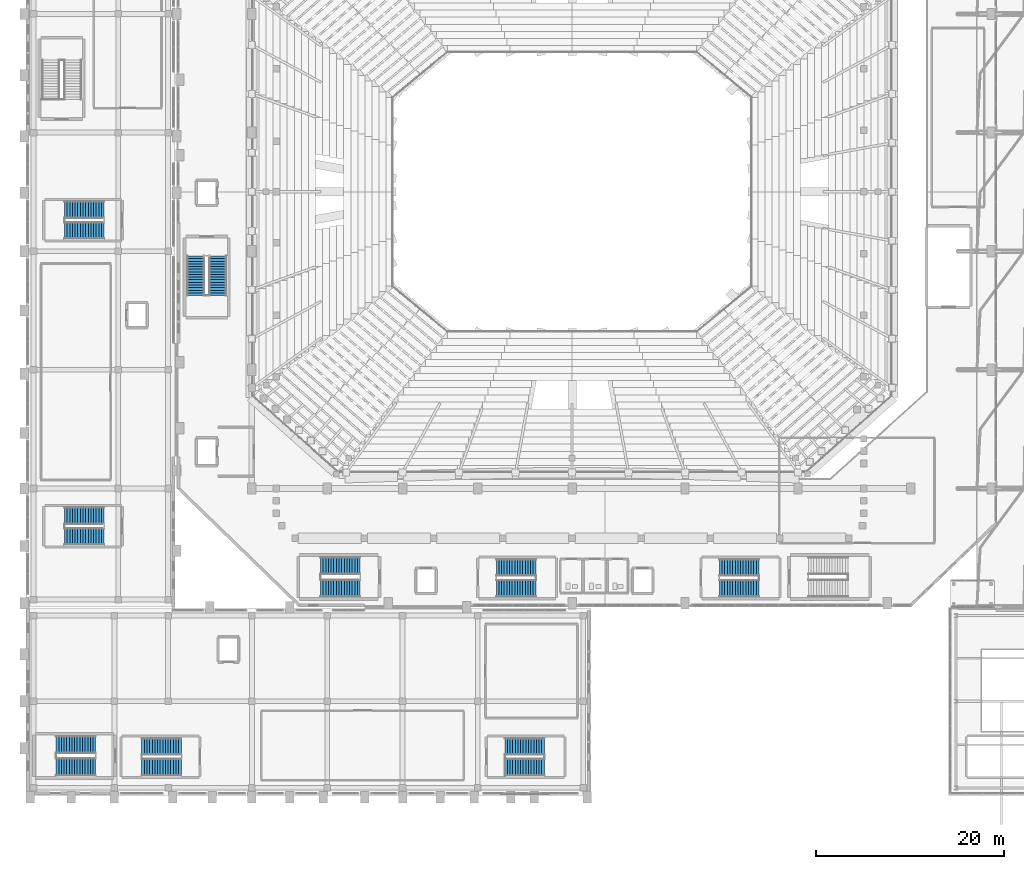
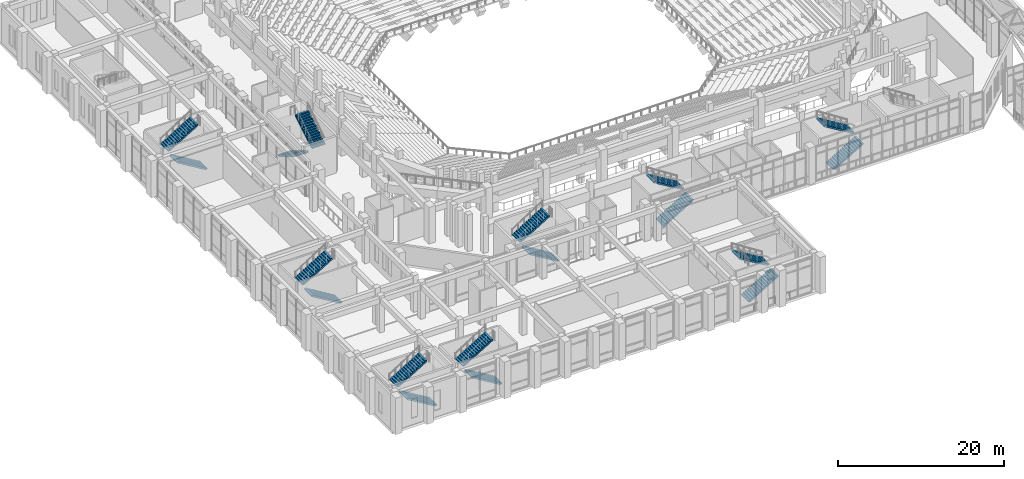
# One storey, part 140 of 159: 18 stair flights, 9 elements without a shape of their own.
"""IFC4 building model written with IfcOpenShell, lengths in metres."""

from ifc_helpers import new_model, si_unit, derived_unit, direction, frame, origin, place, context, subcontext, project, spatial, polyline, outline, extrude, material, type_object, element, aggregate, save


model = new_model("IFC4")

# Units and contexts
model_context = context("Model", 3, precision=1e-05, world=origin(), true_north=direction((0.0, 1.0)))
body_context = subcontext(model_context, "Body", "Model", "MODEL_VIEW")
ifc_project = project(units=[si_unit("LENGTHUNIT", "METRE"), si_unit("AREAUNIT", "SQUARE_METRE"), si_unit("VOLUMEUNIT", "CUBIC_METRE"), si_unit("PLANEANGLEUNIT", "RADIAN"), si_unit("MASSUNIT", "GRAM", prefix="KILO"), derived_unit("THERMALTRANSMITTANCEUNIT", [(si_unit("MASSUNIT", "GRAM", prefix="KILO"), 1), (si_unit("TIMEUNIT", "SECOND"), -3), (si_unit("THERMODYNAMICTEMPERATUREUNIT", "KELVIN"), -1)])], contexts=[model_context])

# Site, building, storey
site_placement = place(None, origin())
site = spatial("IfcSite", under=ifc_project, at=site_placement, CompositionType="ELEMENT")
building_placement = place(site_placement, origin())
building = spatial("IfcBuilding", under=site, at=building_placement, Name="Valcora Ridge Arena", CompositionType="ELEMENT")
storey_placement = place(building_placement, frame((0.0, 0.0, 6.0)))
storey = spatial("IfcBuildingStorey", under=building, at=storey_placement, Name="L01", CompositionType="ELEMENT", Elevation=6.0)

# Stair, stair flights
ifc_material = material(Name="Concrete C40/50", Category="concrete")
stair_type_1 = type_object("IfcStairType", Name="TY-STAIR-ES01-54", PredefinedType="HALF_TURN_STAIR", material=ifc_material)
stair_1_placement = place(storey_placement, origin())
stair_1 = element("IfcStair", 1, at=stair_1_placement, inside=storey, type_object=stair_type_1, Name="ES01-54 STR-ES-0002", PredefinedType="HALF_TURN_STAIR")
stair_flight_type_1 = type_object("IfcStairFlightType", Name="TY-FLIGHT-ES01-54", PredefinedType="STRAIGHT", material=ifc_material)
stair_flight_1_placement = place(storey_placement, frame((49.9599609375, 21.97998046875, 0.0), z_axis=(0.0, 0.0, 1.0), x_axis=(1.0, 0.0, 0.0)))
stair_flight_1 = element("IfcStairFlight", 2, at=stair_flight_1_placement, type_object=stair_flight_type_1, Name="ES01-54 flight 1", NumberOfRisers=16, NumberOfTreads=15, PredefinedType="STRAIGHT", RiserHeight=0.16875, TreadLength=0.28, context=body_context, shape_type="SweptSolid", body=[
    extrude(outline(polyline([(0.0, 0.0), (0.0, 0.168701171875), (0.280029296875, 0.168701171875), (0.280029296875, 0.33740234375), (0.56005859375, 0.33740234375), (0.56005859375, 0.50634765625), (0.840087890625, 0.50634765625), (0.840087890625, 0.675048828125), (1.1201171875, 0.675048828125), (1.1201171875, 0.84375), (1.39990234375, 0.84375), (1.39990234375, 1.012451171875), (1.679931640625, 1.012451171875), (1.679931640625, 1.18115234375), (1.9599609375, 1.18115234375), (1.9599609375, 1.35009765625), (2.239990234375, 1.35009765625), (2.239990234375, 1.518798828125), (2.52001953125, 1.518798828125), (2.52001953125, 1.6875), (2.800048828125, 1.6875), (2.800048828125, 1.856201171875), (3.080078125, 1.856201171875), (3.080078125, 2.02490234375), (3.360107421875, 2.02490234375), (3.360107421875, 2.19384765625), (3.639892578125, 2.19384765625), (3.639892578125, 2.362548828125), (3.919921875, 2.362548828125), (3.919921875, 2.53125), (4.199951171875, 2.53125), (4.199951171875, 2.699951171875), (4.199951171875, 2.3212890625), (0.3486328125, 0.0), (0.0, 0.0)])), frame((0.0, 0.89990234375, 0.0), z_axis=(0.0, -1.0, 0.0), x_axis=(1.0, 0.0, 0.0)), (0.0, 0.0, 1.0), 1.800048828125),
])
stair_flight_2_placement = place(storey_placement, frame((54.159912109375, 24.219970703125, 2.699951171875), z_axis=(0.0, 0.0, 1.0), x_axis=(-1.0, 0.0, 0.0)))
stair_flight_2 = element("IfcStairFlight", 3, at=stair_flight_2_placement, type_object=stair_flight_type_1, Name="ES01-54 flight 2", NumberOfRisers=16, NumberOfTreads=15, PredefinedType="STRAIGHT", RiserHeight=0.16875, TreadLength=0.28, context=body_context, shape_type="SweptSolid", body=[
    extrude(outline(polyline([(0.0, 0.0), (0.0, 0.168701171875), (0.280029296875, 0.168701171875), (0.280029296875, 0.33740234375), (0.56005859375, 0.33740234375), (0.56005859375, 0.50634765625), (0.840087890625, 0.50634765625), (0.840087890625, 0.675048828125), (1.1201171875, 0.675048828125), (1.1201171875, 0.84375), (1.39990234375, 0.84375), (1.39990234375, 1.012451171875), (1.679931640625, 1.012451171875), (1.679931640625, 1.18115234375), (1.9599609375, 1.18115234375), (1.9599609375, 1.35009765625), (2.239990234375, 1.35009765625), (2.239990234375, 1.518798828125), (2.52001953125, 1.518798828125), (2.52001953125, 1.6875), (2.800048828125, 1.6875), (2.800048828125, 1.856201171875), (3.080078125, 1.856201171875), (3.080078125, 2.02490234375), (3.360107421875, 2.02490234375), (3.360107421875, 2.19384765625), (3.639892578125, 2.19384765625), (3.639892578125, 2.362548828125), (3.919921875, 2.362548828125), (3.919921875, 2.53125), (4.199951171875, 2.53125), (4.199951171875, 2.699951171875), (4.199951171875, 2.3212890625), (0.3486328125, 0.0), (0.0, 0.0)])), frame((0.0, 0.89990234375, 0.0), z_axis=(0.0, -1.0, 0.0), x_axis=(1.0, 0.0, 0.0)), (0.0, 0.0, 1.0), 1.800048828125),
])
aggregate(stair_1, [stair_flight_1, stair_flight_2])

stair_type_2 = type_object("IfcStairType", Name="TY-STAIR-ES02-54", PredefinedType="HALF_TURN_STAIR", material=ifc_material)
stair_2_placement = place(storey_placement, origin())
stair_2 = element("IfcStair", 4, at=stair_2_placement, inside=storey, type_object=stair_type_2, Name="ES02-54 STR-ES-0006", PredefinedType="HALF_TURN_STAIR")
stair_flight_type_2 = type_object("IfcStairFlightType", Name="TY-FLIGHT-ES02-54", PredefinedType="STRAIGHT", material=ifc_material)
stair_flight_3_placement = place(storey_placement, frame((73.659912109375, 21.97998046875, 0.0), z_axis=(0.0, 0.0, 1.0), x_axis=(1.0, 0.0, 0.0)))
stair_flight_3 = element("IfcStairFlight", 5, at=stair_flight_3_placement, type_object=stair_flight_type_2, Name="ES02-54 flight 1", NumberOfRisers=16, NumberOfTreads=15, PredefinedType="STRAIGHT", RiserHeight=0.16875, TreadLength=0.28, context=body_context, shape_type="SweptSolid", body=[
    extrude(outline(polyline([(0.0, 0.0), (0.0, 0.168701171875), (0.280029296875, 0.168701171875), (0.280029296875, 0.33740234375), (0.56005859375, 0.33740234375), (0.56005859375, 0.50634765625), (0.840087890625, 0.50634765625), (0.840087890625, 0.675048828125), (1.1201171875, 0.675048828125), (1.1201171875, 0.84375), (1.39990234375, 0.84375), (1.39990234375, 1.012451171875), (1.679931640625, 1.012451171875), (1.679931640625, 1.18115234375), (1.9599609375, 1.18115234375), (1.9599609375, 1.35009765625), (2.239990234375, 1.35009765625), (2.239990234375, 1.518798828125), (2.52001953125, 1.518798828125), (2.52001953125, 1.6875), (2.800048828125, 1.6875), (2.800048828125, 1.856201171875), (3.080078125, 1.856201171875), (3.080078125, 2.02490234375), (3.360107421875, 2.02490234375), (3.360107421875, 2.19384765625), (3.639892578125, 2.19384765625), (3.639892578125, 2.362548828125), (3.919921875, 2.362548828125), (3.919921875, 2.53125), (4.199951171875, 2.53125), (4.199951171875, 2.699951171875), (4.199951171875, 2.3212890625), (0.3486328125, 0.0), (0.0, 0.0)])), frame((0.0, 0.89990234375, 0.0), z_axis=(0.0, -1.0, 0.0), x_axis=(1.0, 0.0, 0.0)), (0.0, 0.0, 1.0), 1.800048828125),
])
stair_flight_4_placement = place(storey_placement, frame((77.860107421875, 24.219970703125, 2.699951171875), z_axis=(0.0, 0.0, 1.0), x_axis=(-1.0, 0.0, 0.0)))
stair_flight_4 = element("IfcStairFlight", 6, at=stair_flight_4_placement, type_object=stair_flight_type_2, Name="ES02-54 flight 2", NumberOfRisers=16, NumberOfTreads=15, PredefinedType="STRAIGHT", RiserHeight=0.16875, TreadLength=0.28, context=body_context, shape_type="SweptSolid", body=[
    extrude(outline(polyline([(0.0, 0.0), (0.0, 0.168701171875), (0.280029296875, 0.168701171875), (0.280029296875, 0.33740234375), (0.56005859375, 0.33740234375), (0.56005859375, 0.50634765625), (0.840087890625, 0.50634765625), (0.840087890625, 0.675048828125), (1.1201171875, 0.675048828125), (1.1201171875, 0.84375), (1.39990234375, 0.84375), (1.39990234375, 1.012451171875), (1.679931640625, 1.012451171875), (1.679931640625, 1.18115234375), (1.9599609375, 1.18115234375), (1.9599609375, 1.35009765625), (2.239990234375, 1.35009765625), (2.239990234375, 1.518798828125), (2.52001953125, 1.518798828125), (2.52001953125, 1.6875), (2.800048828125, 1.6875), (2.800048828125, 1.856201171875), (3.080078125, 1.856201171875), (3.080078125, 2.02490234375), (3.360107421875, 2.02490234375), (3.360107421875, 2.19384765625), (3.639892578125, 2.19384765625), (3.639892578125, 2.362548828125), (3.919921875, 2.362548828125), (3.919921875, 2.53125), (4.199951171875, 2.53125), (4.199951171875, 2.699951171875), (4.199951171875, 2.3212890625), (0.3486328125, 0.0), (0.0, 0.0)])), frame((0.0, 0.89990234375, 0.0), z_axis=(0.0, -1.0, 0.0), x_axis=(1.0, 0.0, 0.0)), (0.0, 0.0, 1.0), 1.800048828125),
])
aggregate(stair_2, [stair_flight_3, stair_flight_4])

stair_type_3 = type_object("IfcStairType", Name="TY-STAIR-ES05-54", PredefinedType="HALF_TURN_STAIR", material=ifc_material)
stair_3_placement = place(storey_placement, origin())
stair_3 = element("IfcStair", 7, at=stair_3_placement, inside=storey, type_object=stair_type_3, Name="ES05-54 STR-ES-0018", PredefinedType="HALF_TURN_STAIR")
stair_flight_type_3 = type_object("IfcStairFlightType", Name="TY-FLIGHT-ES05-54", PredefinedType="STRAIGHT", material=ifc_material)
stair_flight_5_placement = place(storey_placement, frame((16.5, 2.97998046875, 0.0), z_axis=(0.0, 0.0, 1.0), x_axis=(-1.0, 0.0, 0.0)))
stair_flight_5 = element("IfcStairFlight", 8, at=stair_flight_5_placement, type_object=stair_flight_type_3, Name="ES05-54 flight 1", NumberOfRisers=16, NumberOfTreads=15, PredefinedType="STRAIGHT", RiserHeight=0.16875, TreadLength=0.28, context=body_context, shape_type="SweptSolid", body=[
    extrude(outline(polyline([(0.0, 0.0), (0.0, 0.168701171875), (0.280029296875, 0.168701171875), (0.280029296875, 0.33740234375), (0.56005859375, 0.33740234375), (0.56005859375, 0.50634765625), (0.840087890625, 0.50634765625), (0.840087890625, 0.675048828125), (1.1201171875, 0.675048828125), (1.1201171875, 0.84375), (1.39990234375, 0.84375), (1.39990234375, 1.012451171875), (1.679931640625, 1.012451171875), (1.679931640625, 1.18115234375), (1.9599609375, 1.18115234375), (1.9599609375, 1.35009765625), (2.239990234375, 1.35009765625), (2.239990234375, 1.518798828125), (2.52001953125, 1.518798828125), (2.52001953125, 1.6875), (2.800048828125, 1.6875), (2.800048828125, 1.856201171875), (3.080078125, 1.856201171875), (3.080078125, 2.02490234375), (3.360107421875, 2.02490234375), (3.360107421875, 2.19384765625), (3.639892578125, 2.19384765625), (3.639892578125, 2.362548828125), (3.919921875, 2.362548828125), (3.919921875, 2.53125), (4.199951171875, 2.53125), (4.199951171875, 2.699951171875), (4.199951171875, 2.3212890625), (0.3486328125, 0.0), (0.0, 0.0)])), frame((0.0, 0.89990234375, 0.0), z_axis=(0.0, -1.0, 0.0), x_axis=(1.0, 0.0, 0.0)), (0.0, 0.0, 1.0), 1.800048828125),
])
stair_flight_6_placement = place(storey_placement, frame((12.300048828125, 5.219970703125, 2.699951171875), z_axis=(0.0, 0.0, 1.0), x_axis=(1.0, 0.0, 0.0)))
stair_flight_6 = element("IfcStairFlight", 9, at=stair_flight_6_placement, type_object=stair_flight_type_3, Name="ES05-54 flight 2", NumberOfRisers=16, NumberOfTreads=15, PredefinedType="STRAIGHT", RiserHeight=0.16875, TreadLength=0.28, context=body_context, shape_type="SweptSolid", body=[
    extrude(outline(polyline([(0.0, 0.0), (0.0, 0.168701171875), (0.280029296875, 0.168701171875), (0.280029296875, 0.33740234375), (0.56005859375, 0.33740234375), (0.56005859375, 0.50634765625), (0.840087890625, 0.50634765625), (0.840087890625, 0.675048828125), (1.1201171875, 0.675048828125), (1.1201171875, 0.84375), (1.39990234375, 0.84375), (1.39990234375, 1.012451171875), (1.679931640625, 1.012451171875), (1.679931640625, 1.18115234375), (1.9599609375, 1.18115234375), (1.9599609375, 1.35009765625), (2.239990234375, 1.35009765625), (2.239990234375, 1.518798828125), (2.52001953125, 1.518798828125), (2.52001953125, 1.6875), (2.800048828125, 1.6875), (2.800048828125, 1.856201171875), (3.080078125, 1.856201171875), (3.080078125, 2.02490234375), (3.360107421875, 2.02490234375), (3.360107421875, 2.19384765625), (3.639892578125, 2.19384765625), (3.639892578125, 2.362548828125), (3.919921875, 2.362548828125), (3.919921875, 2.53125), (4.199951171875, 2.53125), (4.199951171875, 2.699951171875), (4.199951171875, 2.3212890625), (0.3486328125, 0.0), (0.0, 0.0)])), frame((0.0, 0.89990234375, 0.0), z_axis=(0.0, -1.0, 0.0), x_axis=(1.0, 0.0, 0.0)), (0.0, 0.0, 1.0), 1.800048828125),
])
aggregate(stair_3, [stair_flight_5, stair_flight_6])

stair_type_4 = type_object("IfcStairType", Name="TY-STAIR-ES06-54", PredefinedType="HALF_TURN_STAIR", material=ifc_material)
stair_4_placement = place(storey_placement, origin())
stair_4 = element("IfcStair", 10, at=stair_4_placement, inside=storey, type_object=stair_type_4, Name="ES06-54 STR-ES-0022", PredefinedType="HALF_TURN_STAIR")
stair_flight_type_4 = type_object("IfcStairFlightType", Name="TY-FLIGHT-ES06-54", PredefinedType="STRAIGHT", material=ifc_material)
stair_flight_7_placement = place(storey_placement, frame((50.860107421875, 2.97998046875, 0.0), z_axis=(0.0, 0.0, 1.0), x_axis=(1.0, 0.0, 0.0)))
stair_flight_7 = element("IfcStairFlight", 11, at=stair_flight_7_placement, type_object=stair_flight_type_4, Name="ES06-54 flight 1", NumberOfRisers=16, NumberOfTreads=15, PredefinedType="STRAIGHT", RiserHeight=0.16875, TreadLength=0.28, context=body_context, shape_type="SweptSolid", body=[
    extrude(outline(polyline([(0.0, 0.0), (0.0, 0.168701171875), (0.280029296875, 0.168701171875), (0.280029296875, 0.33740234375), (0.56005859375, 0.33740234375), (0.56005859375, 0.50634765625), (0.840087890625, 0.50634765625), (0.840087890625, 0.675048828125), (1.1201171875, 0.675048828125), (1.1201171875, 0.84375), (1.39990234375, 0.84375), (1.39990234375, 1.012451171875), (1.679931640625, 1.012451171875), (1.679931640625, 1.18115234375), (1.9599609375, 1.18115234375), (1.9599609375, 1.35009765625), (2.239990234375, 1.35009765625), (2.239990234375, 1.518798828125), (2.52001953125, 1.518798828125), (2.52001953125, 1.6875), (2.800048828125, 1.6875), (2.800048828125, 1.856201171875), (3.080078125, 1.856201171875), (3.080078125, 2.02490234375), (3.360107421875, 2.02490234375), (3.360107421875, 2.19384765625), (3.639892578125, 2.19384765625), (3.639892578125, 2.362548828125), (3.919921875, 2.362548828125), (3.919921875, 2.53125), (4.199951171875, 2.53125), (4.199951171875, 2.699951171875), (4.199951171875, 2.3212890625), (0.3486328125, 0.0), (0.0, 0.0)])), frame((0.0, 0.89990234375, 0.0), z_axis=(0.0, -1.0, 0.0), x_axis=(1.0, 0.0, 0.0)), (0.0, 0.0, 1.0), 1.800048828125),
])
stair_flight_8_placement = place(storey_placement, frame((55.06005859375, 5.219970703125, 2.699951171875), z_axis=(0.0, 0.0, 1.0), x_axis=(-1.0, 0.0, 0.0)))
stair_flight_8 = element("IfcStairFlight", 12, at=stair_flight_8_placement, type_object=stair_flight_type_4, Name="ES06-54 flight 2", NumberOfRisers=16, NumberOfTreads=15, PredefinedType="STRAIGHT", RiserHeight=0.16875, TreadLength=0.28, context=body_context, shape_type="SweptSolid", body=[
    extrude(outline(polyline([(0.0, 0.0), (0.0, 0.168701171875), (0.280029296875, 0.168701171875), (0.280029296875, 0.33740234375), (0.56005859375, 0.33740234375), (0.56005859375, 0.50634765625), (0.840087890625, 0.50634765625), (0.840087890625, 0.675048828125), (1.1201171875, 0.675048828125), (1.1201171875, 0.84375), (1.39990234375, 0.84375), (1.39990234375, 1.012451171875), (1.679931640625, 1.012451171875), (1.679931640625, 1.18115234375), (1.9599609375, 1.18115234375), (1.9599609375, 1.35009765625), (2.239990234375, 1.35009765625), (2.239990234375, 1.518798828125), (2.52001953125, 1.518798828125), (2.52001953125, 1.6875), (2.800048828125, 1.6875), (2.800048828125, 1.856201171875), (3.080078125, 1.856201171875), (3.080078125, 2.02490234375), (3.360107421875, 2.02490234375), (3.360107421875, 2.19384765625), (3.639892578125, 2.19384765625), (3.639892578125, 2.362548828125), (3.919921875, 2.362548828125), (3.919921875, 2.53125), (4.199951171875, 2.53125), (4.199951171875, 2.699951171875), (4.199951171875, 2.3212890625), (0.3486328125, 0.0), (0.0, 0.0)])), frame((0.0, 0.89990234375, 0.0), z_axis=(0.0, -1.0, 0.0), x_axis=(1.0, 0.0, 0.0)), (0.0, 0.0, 1.0), 1.800048828125),
])
aggregate(stair_4, [stair_flight_7, stair_flight_8])

stair_type_5 = type_object("IfcStairType", Name="TY-STAIR-ES07-54", PredefinedType="HALF_TURN_STAIR", material=ifc_material)
stair_5_placement = place(storey_placement, origin())
stair_5 = element("IfcStair", 13, at=stair_5_placement, inside=storey, type_object=stair_type_5, Name="ES07-54 STR-ES-0024", PredefinedType="HALF_TURN_STAIR")
stair_flight_type_5 = type_object("IfcStairFlightType", Name="TY-FLIGHT-ES07-54", PredefinedType="STRAIGHT", material=ifc_material)
stair_flight_9_placement = place(storey_placement, frame((8.300048828125, 27.47998046875, 0.0), z_axis=(0.0, 0.0, 1.0), x_axis=(-1.0, 0.0, 0.0)))
stair_flight_9 = element("IfcStairFlight", 14, at=stair_flight_9_placement, type_object=stair_flight_type_5, Name="ES07-54 flight 1", NumberOfRisers=16, NumberOfTreads=15, PredefinedType="STRAIGHT", RiserHeight=0.16875, TreadLength=0.28, context=body_context, shape_type="SweptSolid", body=[
    extrude(outline(polyline([(0.0, 0.0), (0.0, 0.168701171875), (0.280029296875, 0.168701171875), (0.280029296875, 0.33740234375), (0.56005859375, 0.33740234375), (0.56005859375, 0.50634765625), (0.840087890625, 0.50634765625), (0.840087890625, 0.675048828125), (1.1201171875, 0.675048828125), (1.1201171875, 0.84375), (1.39990234375, 0.84375), (1.39990234375, 1.012451171875), (1.679931640625, 1.012451171875), (1.679931640625, 1.18115234375), (1.9599609375, 1.18115234375), (1.9599609375, 1.35009765625), (2.239990234375, 1.35009765625), (2.239990234375, 1.518798828125), (2.52001953125, 1.518798828125), (2.52001953125, 1.6875), (2.800048828125, 1.6875), (2.800048828125, 1.856201171875), (3.080078125, 1.856201171875), (3.080078125, 2.02490234375), (3.360107421875, 2.02490234375), (3.360107421875, 2.19384765625), (3.639892578125, 2.19384765625), (3.639892578125, 2.362548828125), (3.919921875, 2.362548828125), (3.919921875, 2.53125), (4.199951171875, 2.53125), (4.199951171875, 2.699951171875), (4.199951171875, 2.3212890625), (0.3486328125, 0.0), (0.0, 0.0)])), frame((0.0, 0.89990234375, 0.0), z_axis=(0.0, -1.0, 0.0), x_axis=(1.0, 0.0, 0.0)), (0.0, 0.0, 1.0), 1.800048828125),
])
stair_flight_10_placement = place(storey_placement, frame((4.10009765625, 29.719970703125, 2.699951171875), z_axis=(0.0, 0.0, 1.0), x_axis=(1.0, 0.0, 0.0)))
stair_flight_10 = element("IfcStairFlight", 15, at=stair_flight_10_placement, type_object=stair_flight_type_5, Name="ES07-54 flight 2", NumberOfRisers=16, NumberOfTreads=15, PredefinedType="STRAIGHT", RiserHeight=0.16875, TreadLength=0.28, context=body_context, shape_type="SweptSolid", body=[
    extrude(outline(polyline([(0.0, 0.0), (0.0, 0.168701171875), (0.280029296875, 0.168701171875), (0.280029296875, 0.33740234375), (0.56005859375, 0.33740234375), (0.56005859375, 0.50634765625), (0.840087890625, 0.50634765625), (0.840087890625, 0.675048828125), (1.1201171875, 0.675048828125), (1.1201171875, 0.84375), (1.39990234375, 0.84375), (1.39990234375, 1.012451171875), (1.679931640625, 1.012451171875), (1.679931640625, 1.18115234375), (1.9599609375, 1.18115234375), (1.9599609375, 1.35009765625), (2.239990234375, 1.35009765625), (2.239990234375, 1.518798828125), (2.52001953125, 1.518798828125), (2.52001953125, 1.6875), (2.800048828125, 1.6875), (2.800048828125, 1.856201171875), (3.080078125, 1.856201171875), (3.080078125, 2.02490234375), (3.360107421875, 2.02490234375), (3.360107421875, 2.19384765625), (3.639892578125, 2.19384765625), (3.639892578125, 2.362548828125), (3.919921875, 2.362548828125), (3.919921875, 2.53125), (4.199951171875, 2.53125), (4.199951171875, 2.699951171875), (4.199951171875, 2.3212890625), (0.3486328125, 0.0), (0.0, 0.0)])), frame((0.0, 0.89990234375, 0.0), z_axis=(0.0, -1.0, 0.0), x_axis=(1.0, 0.0, 0.0)), (0.0, 0.0, 1.0), 1.800048828125),
])
aggregate(stair_5, [stair_flight_9, stair_flight_10])

stair_type_6 = type_object("IfcStairType", Name="TY-STAIR-ES08-54", PredefinedType="HALF_TURN_STAIR", material=ifc_material)
stair_6_placement = place(storey_placement, origin())
stair_6 = element("IfcStair", 16, at=stair_6_placement, inside=storey, type_object=stair_type_6, Name="ES08-54 STR-ES-0028", PredefinedType="HALF_TURN_STAIR")
stair_flight_type_6 = type_object("IfcStairFlightType", Name="TY-FLIGHT-ES08-54", PredefinedType="STRAIGHT", material=ifc_material)
stair_flight_11_placement = place(storey_placement, frame((8.300048828125, 59.97998046875, 0.0), z_axis=(0.0, 0.0, 1.0), x_axis=(-1.0, 0.0, 0.0)))
stair_flight_11 = element("IfcStairFlight", 17, at=stair_flight_11_placement, type_object=stair_flight_type_6, Name="ES08-54 flight 1", NumberOfRisers=16, NumberOfTreads=15, PredefinedType="STRAIGHT", RiserHeight=0.16875, TreadLength=0.28, context=body_context, shape_type="SweptSolid", body=[
    extrude(outline(polyline([(0.0, 0.0), (0.0, 0.168701171875), (0.280029296875, 0.168701171875), (0.280029296875, 0.33740234375), (0.56005859375, 0.33740234375), (0.56005859375, 0.50634765625), (0.840087890625, 0.50634765625), (0.840087890625, 0.675048828125), (1.1201171875, 0.675048828125), (1.1201171875, 0.84375), (1.39990234375, 0.84375), (1.39990234375, 1.012451171875), (1.679931640625, 1.012451171875), (1.679931640625, 1.18115234375), (1.9599609375, 1.18115234375), (1.9599609375, 1.35009765625), (2.239990234375, 1.35009765625), (2.239990234375, 1.518798828125), (2.52001953125, 1.518798828125), (2.52001953125, 1.6875), (2.800048828125, 1.6875), (2.800048828125, 1.856201171875), (3.080078125, 1.856201171875), (3.080078125, 2.02490234375), (3.360107421875, 2.02490234375), (3.360107421875, 2.19384765625), (3.639892578125, 2.19384765625), (3.639892578125, 2.362548828125), (3.919921875, 2.362548828125), (3.919921875, 2.53125), (4.199951171875, 2.53125), (4.199951171875, 2.699951171875), (4.199951171875, 2.3212890625), (0.3486328125, 0.0), (0.0, 0.0)])), frame((0.0, 0.89990234375, 0.0), z_axis=(0.0, -1.0, 0.0), x_axis=(1.0, 0.0, 0.0)), (0.0, 0.0, 1.0), 1.800048828125),
])
stair_flight_12_placement = place(storey_placement, frame((4.10009765625, 62.219970703125, 2.699951171875), z_axis=(0.0, 0.0, 1.0), x_axis=(1.0, 0.0, 0.0)))
stair_flight_12 = element("IfcStairFlight", 18, at=stair_flight_12_placement, type_object=stair_flight_type_6, Name="ES08-54 flight 2", NumberOfRisers=16, NumberOfTreads=15, PredefinedType="STRAIGHT", RiserHeight=0.16875, TreadLength=0.28, context=body_context, shape_type="SweptSolid", body=[
    extrude(outline(polyline([(0.0, 0.0), (0.0, 0.168701171875), (0.280029296875, 0.168701171875), (0.280029296875, 0.33740234375), (0.56005859375, 0.33740234375), (0.56005859375, 0.50634765625), (0.840087890625, 0.50634765625), (0.840087890625, 0.675048828125), (1.1201171875, 0.675048828125), (1.1201171875, 0.84375), (1.39990234375, 0.84375), (1.39990234375, 1.012451171875), (1.679931640625, 1.012451171875), (1.679931640625, 1.18115234375), (1.9599609375, 1.18115234375), (1.9599609375, 1.35009765625), (2.239990234375, 1.35009765625), (2.239990234375, 1.518798828125), (2.52001953125, 1.518798828125), (2.52001953125, 1.6875), (2.800048828125, 1.6875), (2.800048828125, 1.856201171875), (3.080078125, 1.856201171875), (3.080078125, 2.02490234375), (3.360107421875, 2.02490234375), (3.360107421875, 2.19384765625), (3.639892578125, 2.19384765625), (3.639892578125, 2.362548828125), (3.919921875, 2.362548828125), (3.919921875, 2.53125), (4.199951171875, 2.53125), (4.199951171875, 2.699951171875), (4.199951171875, 2.3212890625), (0.3486328125, 0.0), (0.0, 0.0)])), frame((0.0, 0.89990234375, 0.0), z_axis=(0.0, -1.0, 0.0), x_axis=(1.0, 0.0, 0.0)), (0.0, 0.0, 1.0), 1.800048828125),
])
aggregate(stair_6, [stair_flight_11, stair_flight_12])

stair_type_7 = type_object("IfcStairType", Name="TY-STAIR-ST01-54", PredefinedType="HALF_TURN_STAIR", material=ifc_material)
stair_7_placement = place(storey_placement, origin())
stair_7 = element("IfcStair", 19, at=stair_7_placement, inside=storey, type_object=stair_type_7, Name="ST01-54 STR-CR-0003", PredefinedType="HALF_TURN_STAIR")
stair_flight_type_7 = type_object("IfcStairFlightType", Name="TY-FLIGHT-ST01-54", PredefinedType="STRAIGHT", material=ifc_material)
stair_flight_13_placement = place(storey_placement, frame((35.489990234375, 22.0048828125, 0.0), z_axis=(0.0, 0.0, 1.0), x_axis=(-1.0, 0.0, 0.0)))
stair_flight_13 = element("IfcStairFlight", 20, at=stair_flight_13_placement, type_object=stair_flight_type_7, Name="ST01-54 flight 1", NumberOfRisers=16, NumberOfTreads=15, PredefinedType="STRAIGHT", RiserHeight=0.16875, TreadLength=0.28, context=body_context, shape_type="SweptSolid", body=[
    extrude(outline(polyline([(0.0, 0.0), (0.0, 0.168701171875), (0.280029296875, 0.168701171875), (0.280029296875, 0.33740234375), (0.56005859375, 0.33740234375), (0.56005859375, 0.50634765625), (0.840087890625, 0.50634765625), (0.840087890625, 0.675048828125), (1.1201171875, 0.675048828125), (1.1201171875, 0.84375), (1.39990234375, 0.84375), (1.39990234375, 1.012451171875), (1.679931640625, 1.012451171875), (1.679931640625, 1.18115234375), (1.9599609375, 1.18115234375), (1.9599609375, 1.35009765625), (2.239990234375, 1.35009765625), (2.239990234375, 1.518798828125), (2.52001953125, 1.518798828125), (2.52001953125, 1.6875), (2.800048828125, 1.6875), (2.800048828125, 1.856201171875), (3.080078125, 1.856201171875), (3.080078125, 2.02490234375), (3.360107421875, 2.02490234375), (3.360107421875, 2.19384765625), (3.639892578125, 2.19384765625), (3.639892578125, 2.362548828125), (3.919921875, 2.362548828125), (3.919921875, 2.53125), (4.199951171875, 2.53125), (4.199951171875, 2.699951171875), (4.199951171875, 2.3212890625), (0.3486328125, 0.0), (0.0, 0.0)])), frame((0.0, 0.925048828125, 0.0), z_axis=(0.0, -1.0, 0.0), x_axis=(1.0, 0.0, 0.0)), (0.0, 0.0, 1.0), 1.85009765625),
])
stair_flight_14_placement = place(storey_placement, frame((31.2900390625, 24.39501953125, 2.699951171875), z_axis=(0.0, 0.0, 1.0), x_axis=(1.0, 0.0, 0.0)))
stair_flight_14 = element("IfcStairFlight", 21, at=stair_flight_14_placement, type_object=stair_flight_type_7, Name="ST01-54 flight 2", NumberOfRisers=16, NumberOfTreads=15, PredefinedType="STRAIGHT", RiserHeight=0.16875, TreadLength=0.28, context=body_context, shape_type="SweptSolid", body=[
    extrude(outline(polyline([(0.0, 0.0), (0.0, 0.168701171875), (0.280029296875, 0.168701171875), (0.280029296875, 0.33740234375), (0.56005859375, 0.33740234375), (0.56005859375, 0.50634765625), (0.840087890625, 0.50634765625), (0.840087890625, 0.675048828125), (1.1201171875, 0.675048828125), (1.1201171875, 0.84375), (1.39990234375, 0.84375), (1.39990234375, 1.012451171875), (1.679931640625, 1.012451171875), (1.679931640625, 1.18115234375), (1.9599609375, 1.18115234375), (1.9599609375, 1.35009765625), (2.239990234375, 1.35009765625), (2.239990234375, 1.518798828125), (2.52001953125, 1.518798828125), (2.52001953125, 1.6875), (2.800048828125, 1.6875), (2.800048828125, 1.856201171875), (3.080078125, 1.856201171875), (3.080078125, 2.02490234375), (3.360107421875, 2.02490234375), (3.360107421875, 2.19384765625), (3.639892578125, 2.19384765625), (3.639892578125, 2.362548828125), (3.919921875, 2.362548828125), (3.919921875, 2.53125), (4.199951171875, 2.53125), (4.199951171875, 2.699951171875), (4.199951171875, 2.3212890625), (0.3486328125, 0.0), (0.0, 0.0)])), frame((0.0, 0.925048828125, 0.0), z_axis=(0.0, -1.0, 0.0), x_axis=(1.0, 0.0, 0.0)), (0.0, 0.0, 1.0), 1.85009765625),
])
aggregate(stair_7, [stair_flight_13, stair_flight_14])

stair_type_8 = type_object("IfcStairType", Name="TY-STAIR-ST05-54", PredefinedType="HALF_TURN_STAIR", material=ifc_material)
stair_8_placement = place(storey_placement, origin())
stair_8 = element("IfcStair", 22, at=stair_8_placement, inside=storey, type_object=stair_type_8, Name="ST05-54 STR-CR-0025", PredefinedType="HALF_TURN_STAIR")
stair_flight_type_8 = type_object("IfcStairFlightType", Name="TY-FLIGHT-ST05-54", PredefinedType="STRAIGHT", material=ifc_material)
stair_flight_15_placement = place(storey_placement, frame((18.0048828125, 57.2900390625, 0.0), z_axis=(0.0, 0.0, 1.0), x_axis=(0.0, -1.0, 0.0)))
stair_flight_15 = element("IfcStairFlight", 23, at=stair_flight_15_placement, type_object=stair_flight_type_8, Name="ST05-54 flight 1", NumberOfRisers=16, NumberOfTreads=15, PredefinedType="STRAIGHT", RiserHeight=0.16875, TreadLength=0.28, context=body_context, shape_type="SweptSolid", body=[
    extrude(outline(polyline([(0.0, 0.0), (0.0, 0.168701171875), (0.280029296875, 0.168701171875), (0.280029296875, 0.33740234375), (0.56005859375, 0.33740234375), (0.56005859375, 0.50634765625), (0.840087890625, 0.50634765625), (0.840087890625, 0.675048828125), (1.1201171875, 0.675048828125), (1.1201171875, 0.84375), (1.39990234375, 0.84375), (1.39990234375, 1.012451171875), (1.679931640625, 1.012451171875), (1.679931640625, 1.18115234375), (1.9599609375, 1.18115234375), (1.9599609375, 1.35009765625), (2.239990234375, 1.35009765625), (2.239990234375, 1.518798828125), (2.52001953125, 1.518798828125), (2.52001953125, 1.6875), (2.800048828125, 1.6875), (2.800048828125, 1.856201171875), (3.080078125, 1.856201171875), (3.080078125, 2.02490234375), (3.360107421875, 2.02490234375), (3.360107421875, 2.19384765625), (3.639892578125, 2.19384765625), (3.639892578125, 2.362548828125), (3.919921875, 2.362548828125), (3.919921875, 2.53125), (4.199951171875, 2.53125), (4.199951171875, 2.699951171875), (4.199951171875, 2.3212890625), (0.3486328125, 0.0), (0.0, 0.0)])), frame((0.0, 0.925048828125, 0.0), z_axis=(0.0, -1.0, 0.0), x_axis=(1.0, 0.0, 0.0)), (0.0, 0.0, 1.0), 1.85009765625),
])
stair_flight_16_placement = place(storey_placement, frame((20.39501953125, 53.090087890625, 2.699951171875), z_axis=(0.0, 0.0, 1.0), x_axis=(0.0, 1.0, 0.0)))
stair_flight_16 = element("IfcStairFlight", 24, at=stair_flight_16_placement, type_object=stair_flight_type_8, Name="ST05-54 flight 2", NumberOfRisers=16, NumberOfTreads=15, PredefinedType="STRAIGHT", RiserHeight=0.16875, TreadLength=0.28, context=body_context, shape_type="SweptSolid", body=[
    extrude(outline(polyline([(0.0, 0.0), (0.0, 0.168701171875), (0.280029296875, 0.168701171875), (0.280029296875, 0.33740234375), (0.56005859375, 0.33740234375), (0.56005859375, 0.50634765625), (0.840087890625, 0.50634765625), (0.840087890625, 0.675048828125), (1.1201171875, 0.675048828125), (1.1201171875, 0.84375), (1.39990234375, 0.84375), (1.39990234375, 1.012451171875), (1.679931640625, 1.012451171875), (1.679931640625, 1.18115234375), (1.9599609375, 1.18115234375), (1.9599609375, 1.35009765625), (2.239990234375, 1.35009765625), (2.239990234375, 1.518798828125), (2.52001953125, 1.518798828125), (2.52001953125, 1.6875), (2.800048828125, 1.6875), (2.800048828125, 1.856201171875), (3.080078125, 1.856201171875), (3.080078125, 2.02490234375), (3.360107421875, 2.02490234375), (3.360107421875, 2.19384765625), (3.639892578125, 2.19384765625), (3.639892578125, 2.362548828125), (3.919921875, 2.362548828125), (3.919921875, 2.53125), (4.199951171875, 2.53125), (4.199951171875, 2.699951171875), (4.199951171875, 2.3212890625), (0.3486328125, 0.0), (0.0, 0.0)])), frame((0.0, 0.925048828125, 0.0), z_axis=(0.0, -1.0, 0.0), x_axis=(1.0, 0.0, 0.0)), (0.0, 0.0, 1.0), 1.85009765625),
])
aggregate(stair_8, [stair_flight_15, stair_flight_16])

stair_type_9 = type_object("IfcStairType", Name="TY-STAIR-ST07-54", PredefinedType="HALF_TURN_STAIR", material=ifc_material)
stair_9_placement = place(storey_placement, origin())
stair_9 = element("IfcStair", 25, at=stair_9_placement, inside=storey, type_object=stair_type_9, Name="ST07-54 STR-CR-0032", PredefinedType="HALF_TURN_STAIR")
stair_flight_type_9 = type_object("IfcStairFlightType", Name="TY-FLIGHT-ST07-54", PredefinedType="STRAIGHT", material=ifc_material)
stair_flight_17_placement = place(storey_placement, frame((7.409912109375, 3.0048828125, 0.0), z_axis=(0.0, 0.0, 1.0), x_axis=(-1.0, 0.0, 0.0)))
stair_flight_17 = element("IfcStairFlight", 26, at=stair_flight_17_placement, type_object=stair_flight_type_9, Name="ST07-54 flight 1", NumberOfRisers=16, NumberOfTreads=15, PredefinedType="STRAIGHT", RiserHeight=0.16875, TreadLength=0.28, context=body_context, shape_type="SweptSolid", body=[
    extrude(outline(polyline([(0.0, 0.0), (0.0, 0.168701171875), (0.280029296875, 0.168701171875), (0.280029296875, 0.33740234375), (0.56005859375, 0.33740234375), (0.56005859375, 0.50634765625), (0.840087890625, 0.50634765625), (0.840087890625, 0.675048828125), (1.1201171875, 0.675048828125), (1.1201171875, 0.84375), (1.39990234375, 0.84375), (1.39990234375, 1.012451171875), (1.679931640625, 1.012451171875), (1.679931640625, 1.18115234375), (1.9599609375, 1.18115234375), (1.9599609375, 1.35009765625), (2.239990234375, 1.35009765625), (2.239990234375, 1.518798828125), (2.52001953125, 1.518798828125), (2.52001953125, 1.6875), (2.800048828125, 1.6875), (2.800048828125, 1.856201171875), (3.080078125, 1.856201171875), (3.080078125, 2.02490234375), (3.360107421875, 2.02490234375), (3.360107421875, 2.19384765625), (3.639892578125, 2.19384765625), (3.639892578125, 2.362548828125), (3.919921875, 2.362548828125), (3.919921875, 2.53125), (4.199951171875, 2.53125), (4.199951171875, 2.699951171875), (4.199951171875, 2.3212890625), (0.3486328125, 0.0), (0.0, 0.0)])), frame((0.0, 0.925048828125, 0.0), z_axis=(0.0, -1.0, 0.0), x_axis=(1.0, 0.0, 0.0)), (0.0, 0.0, 1.0), 1.85009765625),
])
stair_flight_18_placement = place(storey_placement, frame((3.2099609375, 5.39501953125, 2.699951171875), z_axis=(0.0, 0.0, 1.0), x_axis=(1.0, 0.0, 0.0)))
stair_flight_18 = element("IfcStairFlight", 27, at=stair_flight_18_placement, type_object=stair_flight_type_9, Name="ST07-54 flight 2", NumberOfRisers=16, NumberOfTreads=15, PredefinedType="STRAIGHT", RiserHeight=0.16875, TreadLength=0.28, context=body_context, shape_type="SweptSolid", body=[
    extrude(outline(polyline([(0.0, 0.0), (0.0, 0.168701171875), (0.280029296875, 0.168701171875), (0.280029296875, 0.33740234375), (0.56005859375, 0.33740234375), (0.56005859375, 0.50634765625), (0.840087890625, 0.50634765625), (0.840087890625, 0.675048828125), (1.1201171875, 0.675048828125), (1.1201171875, 0.84375), (1.39990234375, 0.84375), (1.39990234375, 1.012451171875), (1.679931640625, 1.012451171875), (1.679931640625, 1.18115234375), (1.9599609375, 1.18115234375), (1.9599609375, 1.35009765625), (2.239990234375, 1.35009765625), (2.239990234375, 1.518798828125), (2.52001953125, 1.518798828125), (2.52001953125, 1.6875), (2.800048828125, 1.6875), (2.800048828125, 1.856201171875), (3.080078125, 1.856201171875), (3.080078125, 2.02490234375), (3.360107421875, 2.02490234375), (3.360107421875, 2.19384765625), (3.639892578125, 2.19384765625), (3.639892578125, 2.362548828125), (3.919921875, 2.362548828125), (3.919921875, 2.53125), (4.199951171875, 2.53125), (4.199951171875, 2.699951171875), (4.199951171875, 2.3212890625), (0.3486328125, 0.0), (0.0, 0.0)])), frame((0.0, 0.925048828125, 0.0), z_axis=(0.0, -1.0, 0.0), x_axis=(1.0, 0.0, 0.0)), (0.0, 0.0, 1.0), 1.85009765625),
])
aggregate(stair_9, [stair_flight_17, stair_flight_18])

save(model, "model.ifc")
